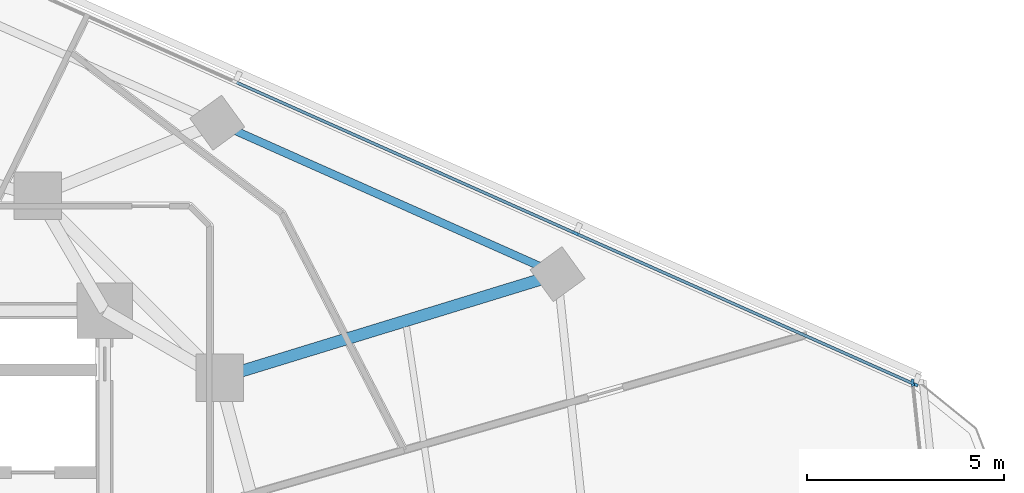
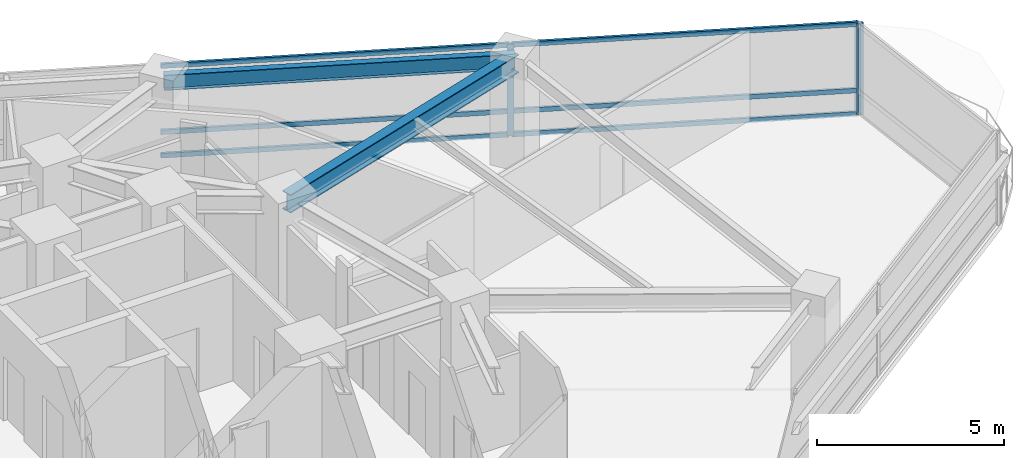
# One storey, part 6 of 14: 9 members, 2 beams, 2 elements without a shape of their own.
"""IFC4 building model written with IfcOpenShell, lengths in metres."""

from ifc_helpers import new_model, si_unit, direction, frame, origin, origin_2d, place, context, subcontext, project, spatial, rectangle, i_section, extrude, material, layer, layer_set, material_profile, profile_set, type_object, element, aggregate, save


model = new_model("IFC4")

# Units and contexts
model_context = context("Model", 3, precision=1e-05, world=origin(), true_north=direction((0.0, 1.0)))
body_context = subcontext(model_context, "Body", "Model", "MODEL_VIEW")
ifc_project = project(units=[si_unit("LENGTHUNIT", "METRE"), si_unit("AREAUNIT", "SQUARE_METRE"), si_unit("VOLUMEUNIT", "CUBIC_METRE"), si_unit("PLANEANGLEUNIT", "RADIAN"), si_unit("MASSUNIT", "GRAM", prefix="KILO")], contexts=[model_context])

# Site, building, storey
site_placement = place(None, origin())
site = spatial("IfcSite", under=ifc_project, at=site_placement, CompositionType="ELEMENT")
building_placement = place(site_placement, origin())
building = spatial("IfcBuilding", under=site, at=building_placement, Name="Terralouvre Media Tower", CompositionType="ELEMENT")
storey_placement = place(building_placement, frame((0.0, 0.0, 158.300048828125)))
storey = spatial("IfcBuildingStorey", under=building, at=storey_placement, Name="L40", CompositionType="ELEMENT", Elevation=158.300048828125)

# Curtain wall, members
ifc_material_1 = material(Name="Low-iron laminated double glazing with solar-control coating", Category="glass")
ifc_layer_1 = layer(ifc_material_1, 0.1650390625, Name="Production Studio Tower Curtain Wall CW-03")
ifc_layer_set_1 = layer_set([ifc_layer_1], Name="Low-iron laminated double glazing with solar-control coating")
curtain_wall_type_1 = type_object("IfcCurtainWallType", Name="Production Studio Tower Curtain Wall CW-03", PredefinedType="NOTDEFINED", material=ifc_layer_set_1)
curtain_wall_1_placement = place(storey_placement, origin())
curtain_wall_1 = element("IfcCurtainWall", 1, at=curtain_wall_1_placement, inside=storey, type_object=curtain_wall_type_1, Name="L40 Facade Curtain Wall F1", PredefinedType="NOTDEFINED")
ifc_material_2 = material(Name="Anodised extruded aluminium 6063-T6", Category="aluminium")
ifc_material_profile_1 = material_profile(ifc_material_2, rectangle(XDim=0.074951171875, YDim=0.14990234375, at=origin_2d()), Name="ALU 75x150")
ifc_profile_set_1 = profile_set([ifc_material_profile_1], Name="Anodised extruded aluminium 6063-T6")
member_type_1 = type_object("IfcMemberType", Name="Curtain-Wall Horizontal Transom TR-150", PredefinedType="USERDEFINED", material=ifc_profile_set_1)
member_1_placement = place(storey_placement, frame((28.4892578125, 6.1494140625, 0.037353515625), z_axis=(-0.913539345669, 0.406750370515, 0.0), x_axis=(-0.406750370515, -0.913539345669, 0.0)))
member_1 = element("IfcMember", 2, at=member_1_placement, type_object=member_type_1, Name="CW-03 transom 1.1", ObjectType="TRANSOM", PredefinedType="USERDEFINED", context=body_context, shape_type="SweptSolid", body=[
    extrude(rectangle(XDim=0.074951171875, YDim=0.14990234375, at=origin_2d()), origin(), (0.0, 0.0, 1.0), 9.327392578125),
])
member_2_placement = place(storey_placement, frame((28.4892578125, 6.1494140625, 0.800048828125), z_axis=(-0.913539345669, 0.406750370515, 0.0), x_axis=(-0.406750370515, -0.913539345669, 0.0)))
member_2 = element("IfcMember", 3, at=member_2_placement, type_object=member_type_1, Name="CW-03 transom 1.2", ObjectType="TRANSOM", PredefinedType="USERDEFINED", context=body_context, shape_type="SweptSolid", body=[
    extrude(rectangle(XDim=0.074951171875, YDim=0.14990234375, at=origin_2d()), origin(), (0.0, 0.0, 1.0), 9.327392578125),
])
member_3_placement = place(storey_placement, frame((28.4892578125, 6.1494140625, 2.96240234375), z_axis=(-0.913539345669, 0.406750370515, 0.0), x_axis=(-0.406750370515, -0.913539345669, 0.0)))
member_3 = element("IfcMember", 4, at=member_3_placement, type_object=member_type_1, Name="CW-03 transom 1.3", ObjectType="TRANSOM", PredefinedType="USERDEFINED", context=body_context, shape_type="SweptSolid", body=[
    extrude(rectangle(XDim=0.074951171875, YDim=0.14990234375, at=origin_2d()), origin(), (0.0, 0.0, 1.0), 9.327392578125),
])
member_4_placement = place(storey_placement, frame((19.899658203125, 9.973876953125, 0.037353515625), z_axis=(-0.913546899195, 0.40673340528, 0.0), x_axis=(-0.40673340528, -0.913546899195, 0.0)))
member_4 = element("IfcMember", 5, at=member_4_placement, type_object=member_type_1, Name="CW-03 transom 2.1", ObjectType="TRANSOM", PredefinedType="USERDEFINED", context=body_context, shape_type="SweptSolid", body=[
    extrude(rectangle(XDim=0.074951171875, YDim=0.14990234375, at=origin_2d()), origin(), (0.0, 0.0, 1.0), 9.364990234375),
])
member_5_placement = place(storey_placement, frame((19.899658203125, 9.973876953125, 0.800048828125), z_axis=(-0.913546899195, 0.40673340528, 0.0), x_axis=(-0.40673340528, -0.913546899195, 0.0)))
member_5 = element("IfcMember", 6, at=member_5_placement, type_object=member_type_1, Name="CW-03 transom 2.2", ObjectType="TRANSOM", PredefinedType="USERDEFINED", context=body_context, shape_type="SweptSolid", body=[
    extrude(rectangle(XDim=0.074951171875, YDim=0.14990234375, at=origin_2d()), origin(), (0.0, 0.0, 1.0), 9.364990234375),
])
member_6_placement = place(storey_placement, frame((19.899658203125, 9.973876953125, 2.96240234375), z_axis=(-0.913546899195, 0.40673340528, 0.0), x_axis=(-0.40673340528, -0.913546899195, 0.0)))
member_6 = element("IfcMember", 7, at=member_6_placement, type_object=member_type_1, Name="CW-03 transom 2.3", ObjectType="TRANSOM", PredefinedType="USERDEFINED", context=body_context, shape_type="SweptSolid", body=[
    extrude(rectangle(XDim=0.074951171875, YDim=0.14990234375, at=origin_2d()), origin(), (0.0, 0.0, 1.0), 9.364990234375),
])
ifc_material_3 = material(Name="Anodised extruded aluminium 6063-T6", Category="aluminium")
ifc_material_profile_2 = material_profile(ifc_material_3, rectangle(XDim=0.074951171875, YDim=0.179931640625, at=origin_2d()), Name="ALU 75x180")
ifc_profile_set_2 = profile_set([ifc_material_profile_2], Name="Anodised extruded aluminium 6063-T6")
member_type_2 = type_object("IfcMemberType", Name="Curtain-Wall Vertical Mullion ML-180", PredefinedType="MULLION", material=ifc_profile_set_2)
member_7_placement = place(storey_placement, frame((28.5234375, 6.13427734375, 0.0), z_axis=(0.0, 0.0, 1.0), x_axis=(-0.406736616337, -0.913545469547, 0.0)))
member_7 = element("IfcMember", 8, at=member_7_placement, type_object=member_type_2, Name="CW-03 mullion 1", PredefinedType="MULLION", context=body_context, shape_type="SweptSolid", body=[
    extrude(rectangle(XDim=0.074951171875, YDim=0.179931640625, at=origin_2d()), origin(), (0.0, 0.0, 1.0), 3.0),
])
member_8_placement = place(storey_placement, frame((19.933837890625, 9.95849609375, 0.0), z_axis=(0.0, 0.0, 1.0), x_axis=(-0.406736616337, -0.913545469547, 0.0)))
member_8 = element("IfcMember", 9, at=member_8_placement, type_object=member_type_2, Name="CW-03 mullion 2", PredefinedType="MULLION", context=body_context, shape_type="SweptSolid", body=[
    extrude(rectangle(XDim=0.074951171875, YDim=0.179931640625, at=origin_2d()), origin(), (0.0, 0.0, 1.0), 3.0),
])
aggregate(curtain_wall_1, [member_7, member_8, member_1, member_2, member_3, member_4, member_5, member_6])

# Curtain wall, member
ifc_material_4 = material(Name="Low-iron laminated double glazing with solar-control coating", Category="glass")
ifc_layer_2 = layer(ifc_material_4, 0.1650390625, Name="Rounded Wind-Corner Curved Glazing CW-04")
ifc_layer_set_2 = layer_set([ifc_layer_2], Name="Low-iron laminated double glazing with solar-control coating")
curtain_wall_type_2 = type_object("IfcCurtainWallType", Name="Rounded Wind-Corner Curved Glazing CW-04", PredefinedType="NOTDEFINED", material=ifc_layer_set_2)
curtain_wall_2_placement = place(storey_placement, origin())
curtain_wall_2 = element("IfcCurtainWall", 10, at=curtain_wall_2_placement, inside=storey, type_object=curtain_wall_type_2, Name="L40 Rounded Wind-Corner Curtain Wall C1", PredefinedType="NOTDEFINED")
member_9_placement = place(storey_placement, frame((28.47119140625, 6.1767578125, 0.0), z_axis=(0.0, 0.0, 1.0), x_axis=(-0.994521891172, -0.10452850319, 0.0)))
member_9 = element("IfcMember", 11, at=member_9_placement, type_object=member_type_2, Name="CW-04 mullion 2", PredefinedType="MULLION", context=body_context, shape_type="SweptSolid", body=[
    extrude(rectangle(XDim=0.074951171875, YDim=0.179931640625, at=origin_2d()), origin(), (0.0, 0.0, 1.0), 3.0),
])
aggregate(curtain_wall_2, [member_9])

# Beams
ifc_material_5 = material(Name="Structural steel S355J2", Category="steel")
ifc_material_profile_3 = material_profile(ifc_material_5, i_section(OverallWidth=0.199951171875, OverallDepth=0.5, WebThickness=0.01025390625, FlangeThickness=0.01611328125, at=origin_2d()), Name="IPE 500")
ifc_profile_set_3 = profile_set([ifc_material_profile_3], Name="Structural steel S355J2")
beam_type_1 = type_object("IfcBeamType", Name="Perimeter Spandrel Beam SPB-500 (IPE 500)", PredefinedType="SPANDREL", material=ifc_profile_set_3)
beam_1_placement = place(storey_placement, frame((19.474365234375, 8.92626953125, 3.25), z_axis=(-0.913547937667, 0.406731072803, 0.0), x_axis=(-0.406731072803, -0.913547937667, 0.0)))
element("IfcBeam", 12, at=beam_1_placement, inside=storey, type_object=beam_type_1, Name="L40 Framing Beam BM-L40-PR07", PredefinedType="SPANDREL", context=body_context, shape_type="SweptSolid", body=[
    extrude(i_section(OverallWidth=0.199951171875, OverallDepth=0.5, WebThickness=0.01025390625, FlangeThickness=0.01611328125, at=origin_2d()), origin(), (0.0, 0.0, 1.0), 9.440185546875),
])
ifc_material_6 = material(Name="Structural steel S460M", Category="steel")
ifc_material_profile_4 = material_profile(ifc_material_6, i_section(OverallWidth=0.300048828125, OverallDepth=0.60009765625, WebThickness=0.015380859375, FlangeThickness=0.030029296875, at=origin_2d()), Name="HEB 600")
ifc_profile_set_4 = profile_set([ifc_material_profile_4], Name="Structural steel S460M")
beam_type_2 = type_object("IfcBeamType", Name="Primary Floor Girder B-HEB600 (HEB 600)", PredefinedType="BEAM", material=ifc_profile_set_4)
beam_2_placement = place(storey_placement, frame((10.911865234375, 6.300048828125, 3.199951171875), z_axis=(0.956042083717, 0.293229490606, 0.0), x_axis=(-0.293229490606, 0.956042083717, 0.0)))
element("IfcBeam", 13, at=beam_2_placement, inside=storey, type_object=beam_type_2, Name="L40 Framing Beam BM-L40-RD07", PredefinedType="BEAM", context=body_context, shape_type="SweptSolid", body=[
    extrude(i_section(OverallWidth=0.300048828125, OverallDepth=0.60009765625, WebThickness=0.015380859375, FlangeThickness=0.030029296875, at=origin_2d()), origin(), (0.0, 0.0, 1.0), 8.956298828125),
])

save(model, "model.ifc")
